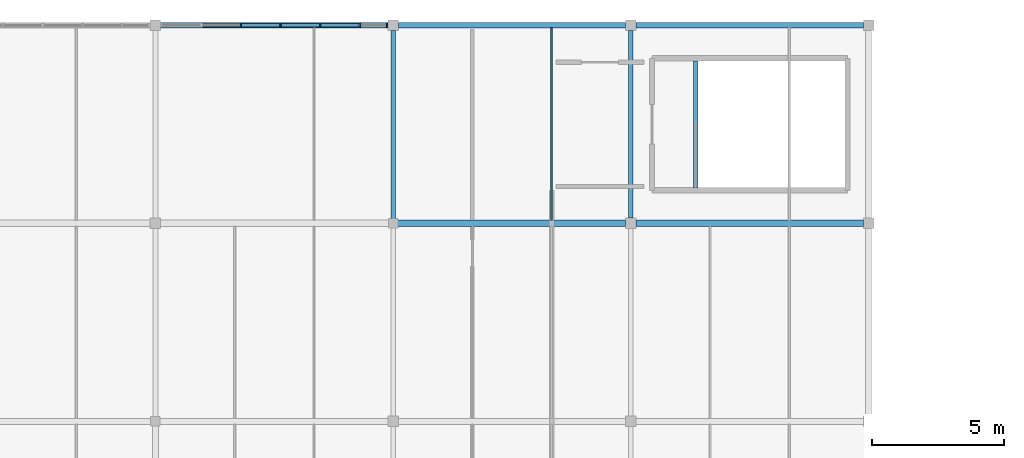
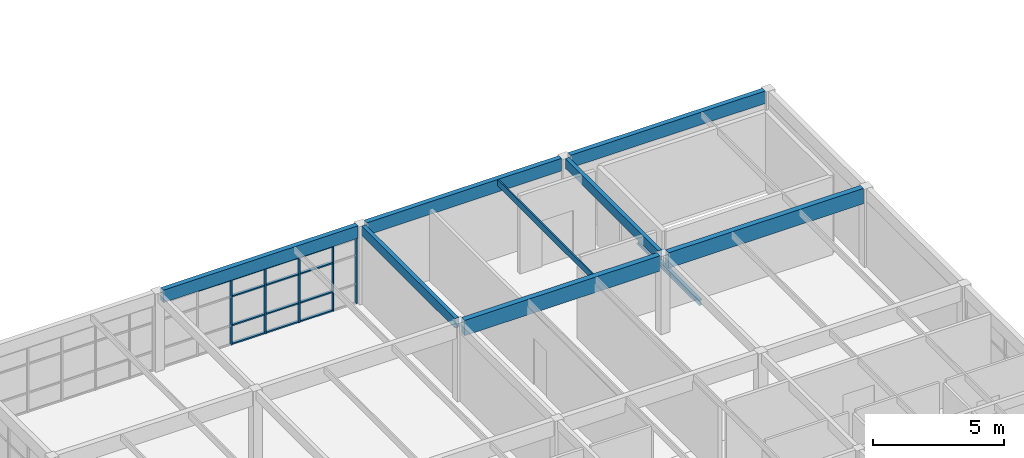
# One storey, part 18 of 45: 18 members, 9 beams, 1 element without a shape of its own.
"""IFC4 building model written with IfcOpenShell, lengths in metres."""

from ifc_helpers import new_model, si_unit, direction, frame, origin, origin_2d, place, context, subcontext, project, spatial, rectangle, i_section, extrude, material, layer, layer_set, material_profile, profile_set, type_object, element, aggregate, save


model = new_model("IFC4")

# Units and contexts
model_context = context("Model", 3, precision=1e-05, world=origin(), true_north=direction((0.0, 1.0)))
body_context = subcontext(model_context, "Body", "Model", "MODEL_VIEW")
ifc_project = project(units=[si_unit("LENGTHUNIT", "METRE"), si_unit("AREAUNIT", "SQUARE_METRE"), si_unit("VOLUMEUNIT", "CUBIC_METRE"), si_unit("PLANEANGLEUNIT", "RADIAN"), si_unit("MASSUNIT", "GRAM", prefix="KILO")], contexts=[model_context])

# Site, building, storey
site_placement = place(None, origin())
site = spatial("IfcSite", under=ifc_project, at=site_placement, CompositionType="ELEMENT")
building_placement = place(site_placement, origin())
building = spatial("IfcBuilding", under=site, at=building_placement, Name="Marnridge Secondary College", CompositionType="ELEMENT")
storey_placement = place(building_placement, frame((0.0, 0.0, 12.300048828125)))
storey = spatial("IfcBuildingStorey", under=building, at=storey_placement, Name="L03", CompositionType="ELEMENT", Elevation=12.300048828125)

# Beams
ifc_material_1 = material(Name="Glulam timber GL18", Category="wood")
ifc_material_profile_1 = material_profile(ifc_material_1, rectangle(XDim=0.175048828125, YDim=0.449951171875, at=origin_2d()), Name="GL18 175x450")
ifc_profile_set_1 = profile_set([ifc_material_profile_1], Name="Glulam timber GL18")
beam_type_1 = type_object("IfcBeamType", Name="BM-GL450-INT", PredefinedType="BEAM", material=ifc_profile_set_1)
beam_1_placement = place(storey_placement, frame((18.0, 112.674072265625, 3.425048828125), z_axis=(0.0, 1.0, 0.0), x_axis=(-1.0, 0.0, 0.0)))
element("IfcBeam", 1, at=beam_1_placement, inside=storey, type_object=beam_type_1, Name="Beam BRF-L03-1332", PredefinedType="BEAM", context=body_context, shape_type="SweptSolid", body=[
    extrude(rectangle(XDim=0.175048828125, YDim=0.449951171875, at=origin_2d()), origin(), (0.0, 0.0, 1.0), 7.1318359375),
])
beam_2_placement = place(storey_placement, frame((27.0, 112.694091796875, 3.425048828125), z_axis=(0.0, 1.0, 0.0), x_axis=(-1.0, 0.0, 0.0)))
element("IfcBeam", 2, at=beam_2_placement, inside=storey, type_object=beam_type_1, Name="Beam BRF-L03-1341", PredefinedType="BEAM", context=body_context, shape_type="SweptSolid", body=[
    extrude(rectangle(XDim=0.175048828125, YDim=0.449951171875, at=origin_2d()), origin(), (0.0, 0.0, 1.0), 7.11181640625),
])
ifc_material_2 = material(Name="Glulam timber GL18", Category="wood")
ifc_material_profile_2 = material_profile(ifc_material_2, rectangle(XDim=0.215087890625, YDim=0.5849609375, at=origin_2d()), Name="GL18 215x585")
ifc_profile_set_2 = profile_set([ifc_material_profile_2], Name="Glulam timber GL18")
beam_type_2 = type_object("IfcBeamType", Name="BM-GL585-EXT", PredefinedType="SPANDREL", material=ifc_profile_set_2)
for number, where, z_axis, x_axis, name in (
    (3, (9.194091796875, 120.0, 3.357421875), (1.0, 0.0, 0.0), (0.0, 1.0, 0.0), "Beam BRF-L03-1331"),
    (4, (18.194091796875, 120.0, 3.357421875), (1.0, 0.0, 0.0), (0.0, 1.0, 0.0), "Beam BRF-L03-1340"),
    (5, (27.194091796875, 120.0, 3.357421875), (1.0, 0.0, 0.0), (0.0, 1.0, 0.0), "Beam BRF-L03-1349"),
):
    element("IfcBeam", number, at=place(storey_placement, frame(where, z_axis=z_axis, x_axis=x_axis)), inside=storey, type_object=beam_type_2, Name=name, PredefinedType="SPANDREL", context=body_context, shape_type="SweptSolid", body=[
        extrude(rectangle(XDim=0.215087890625, YDim=0.5849609375, at=origin_2d()), origin(), (0.0, 0.0, 1.0), 8.61181640625),
    ])
ifc_material_3 = material(Name="Glulam timber GL18", Category="wood")
ifc_material_profile_3 = material_profile(ifc_material_3, rectangle(XDim=0.239990234375, YDim=0.719970703125, at=origin_2d()), Name="GL18 240x720")
ifc_profile_set_3 = profile_set([ifc_material_profile_3], Name="Glulam timber GL18")
beam_type_3 = type_object("IfcBeamType", Name="BM-GL720-INT", PredefinedType="BEAM", material=ifc_profile_set_3)
beam_3_placement = place(storey_placement, frame((18.174072265625, 112.5, 3.2900390625), z_axis=(1.0, 0.0, 0.0), x_axis=(0.0, 1.0, 0.0)))
element("IfcBeam", 6, at=beam_3_placement, inside=storey, type_object=beam_type_3, Name="Beam BRF-L03-1338", PredefinedType="BEAM", context=body_context, shape_type="SweptSolid", body=[
    extrude(rectangle(XDim=0.239990234375, YDim=0.719970703125, at=origin_2d()), origin(), (0.0, 0.0, 1.0), 8.6318359375),
])
beam_4_placement = place(storey_placement, frame((27.194091796875, 112.5, 3.2900390625), z_axis=(1.0, 0.0, 0.0), x_axis=(0.0, 1.0, 0.0)))
element("IfcBeam", 7, at=beam_4_placement, inside=storey, type_object=beam_type_3, Name="Beam BRF-L03-1347", PredefinedType="BEAM", context=body_context, shape_type="SweptSolid", body=[
    extrude(rectangle(XDim=0.239990234375, YDim=0.719970703125, at=origin_2d()), origin(), (0.0, 0.0, 1.0), 8.61181640625),
])
ifc_material_4 = material(Name="Engineered timber LVL E13.2", Category="wood")
ifc_material_profile_4 = material_profile(ifc_material_4, rectangle(XDim=0.06298828125, YDim=0.300048828125, at=origin_2d()), Name="LVL 63x300")
ifc_profile_set_4 = profile_set([ifc_material_profile_4], Name="Engineered timber LVL E13.2")
beam_type_4 = type_object("IfcBeamType", Name="BM-LVL300-INT", PredefinedType="JOIST", material=ifc_profile_set_4)
beam_5_placement = place(storey_placement, frame((24.0, 112.614013671875, 3.5), z_axis=(0.0, 1.0, 0.0), x_axis=(-1.0, 0.0, 0.0)))
element("IfcBeam", 8, at=beam_5_placement, inside=storey, type_object=beam_type_4, Name="Beam BJ-L03-1373", PredefinedType="JOIST", context=body_context, shape_type="SweptSolid", body=[
    extrude(rectangle(XDim=0.06298828125, YDim=0.300048828125, at=origin_2d()), origin(), (0.0, 0.0, 1.0), 7.284423828125),
])
ifc_material_5 = material(Name="Structural steel Grade 350 (AS/NZS 3679.1/.2, fy = 340-360 MPa)", Category="steel")
ifc_material_profile_5 = material_profile(ifc_material_5, i_section(OverallWidth=0.146240234375, OverallDepth=0.256103515625, WebThickness=0.00634765625, FlangeThickness=0.010986328125, FilletRadius=0.0087890625, at=origin_2d()), Name="250UB37.3")
ifc_profile_set_5 = profile_set([ifc_material_profile_5], Name="Structural steel Grade 350 (AS/NZS 3679.1/.2, fy = 340-360 MPa)")
beam_type_5 = type_object("IfcBeamType", Name="BM-UB250-EXT", PredefinedType="LINTEL", material=ifc_profile_set_5)
beam_6_placement = place(storey_placement, frame((29.449951171875, 113.842041015625, -0.34814453125), z_axis=(0.0, 1.0, 0.0), x_axis=(-1.0, 0.0, 0.0)))
element("IfcBeam", 9, at=beam_6_placement, inside=storey, type_object=beam_type_5, Name="Stair landing trimmer beam BT-L03-048", PredefinedType="LINTEL", context=body_context, shape_type="SweptSolid", body=[
    extrude(i_section(OverallWidth=0.146240234375, OverallDepth=0.256103515625, WebThickness=0.00634765625, FlangeThickness=0.010986328125, FilletRadius=0.0087890625, at=origin_2d()), origin(), (0.0, 0.0, 1.0), 4.802978515625),
])

# Curtain wall, members
ifc_material_6 = material(Name="Thermally broken aluminium and low-E glazing", Category="aluminium")
ifc_layer = layer(ifc_material_6, 0.159912109375)
ifc_layer_set = layer_set([ifc_layer], Name="CW-MOD-1500")
curtain_wall_type = type_object("IfcCurtainWallType", Name="CW-MOD-1500", PredefinedType="NOTDEFINED", material=ifc_layer_set)
curtain_wall_placement = place(storey_placement, origin())
curtain_wall = element("IfcCurtainWall", 10, at=curtain_wall_placement, inside=storey, type_object=curtain_wall_type, Name="Unitised curtain wall CW-L03-119", PredefinedType="NOTDEFINED")
ifc_material_7 = material(Name="Anodised aluminium 6063-T6", Category="aluminium")
ifc_material_profile_6 = material_profile(ifc_material_7, rectangle(XDim=0.06005859375, YDim=0.159912109375, at=origin_2d()), Name="ALU 60x160")
ifc_profile_set_6 = profile_set([ifc_material_profile_6], Name="Anodised aluminium 6063-T6")
member_type_1 = type_object("IfcMemberType", Name="CWM-ALU160", PredefinedType="MULLION", material=ifc_profile_set_6)
member_1_placement = place(storey_placement, frame((12.23388671875, 120.0, 0.0), z_axis=(0.0, 0.0, 1.0), x_axis=(1.0, 0.0, 0.0)))
member_1 = element("IfcMember", 11, at=member_1_placement, type_object=member_type_1, Name="CW-L03-119 mullion 3", PredefinedType="MULLION", context=body_context, shape_type="SweptSolid", body=[
    extrude(rectangle(XDim=0.06005859375, YDim=0.159912109375, at=origin_2d()), origin(), (0.0, 0.0, 1.0), 3.056884765625),
])
member_2_placement = place(storey_placement, frame((13.73388671875, 120.0, 0.0), z_axis=(0.0, 0.0, 1.0), x_axis=(1.0, 0.0, 0.0)))
member_2 = element("IfcMember", 12, at=member_2_placement, type_object=member_type_1, Name="CW-L03-119 mullion 4", PredefinedType="MULLION", context=body_context, shape_type="SweptSolid", body=[
    extrude(rectangle(XDim=0.06005859375, YDim=0.159912109375, at=origin_2d()), origin(), (0.0, 0.0, 1.0), 3.056884765625),
])
member_3_placement = place(storey_placement, frame((15.23388671875, 120.0, 0.0), z_axis=(0.0, 0.0, 1.0), x_axis=(1.0, 0.0, 0.0)))
member_3 = element("IfcMember", 13, at=member_3_placement, type_object=member_type_1, Name="CW-L03-119 mullion 5", PredefinedType="MULLION", context=body_context, shape_type="SweptSolid", body=[
    extrude(rectangle(XDim=0.06005859375, YDim=0.159912109375, at=origin_2d()), origin(), (0.0, 0.0, 1.0), 3.056884765625),
])
member_4_placement = place(storey_placement, frame((16.73388671875, 120.0, 0.0), z_axis=(0.0, 0.0, 1.0), x_axis=(1.0, 0.0, 0.0)))
member_4 = element("IfcMember", 14, at=member_4_placement, type_object=member_type_1, Name="CW-L03-119 mullion 6", PredefinedType="MULLION", context=body_context, shape_type="SweptSolid", body=[
    extrude(rectangle(XDim=0.06005859375, YDim=0.159912109375, at=origin_2d()), origin(), (0.0, 0.0, 1.0), 3.056884765625),
])
member_5_placement = place(storey_placement, frame((17.76611328125, 120.0, 0.0), z_axis=(0.0, 0.0, 1.0), x_axis=(1.0, 0.0, 0.0)))
member_5 = element("IfcMember", 15, at=member_5_placement, type_object=member_type_1, Name="CW-L03-119 mullion 7", PredefinedType="MULLION", context=body_context, shape_type="SweptSolid", body=[
    extrude(rectangle(XDim=0.06005859375, YDim=0.159912109375, at=origin_2d()), origin(), (0.0, 0.0, 1.0), 3.056884765625),
])
ifc_material_8 = material(Name="Anodised aluminium 6063-T6", Category="aluminium")
ifc_material_profile_7 = material_profile(ifc_material_8, rectangle(XDim=0.06005859375, YDim=0.1201171875, at=origin_2d()), Name="ALU 60x120")
ifc_profile_set_7 = profile_set([ifc_material_profile_7], Name="Anodised aluminium 6063-T6")
member_type_2 = type_object("IfcMemberType", Name="CWT-ALU120", PredefinedType="USERDEFINED", material=ifc_profile_set_7)
member_6_placement = place(storey_placement, frame((10.763916015625, 120.0, 3.02685546875), z_axis=(1.0, 0.0, 0.0), x_axis=(0.0, 0.0, 1.0)))
member_6 = element("IfcMember", 16, at=member_6_placement, type_object=member_type_2, Name="CW-L03-119 transom 2.4", ObjectType="TRANSOM", PredefinedType="USERDEFINED", context=body_context, shape_type="SweptSolid", body=[
    extrude(rectangle(XDim=0.06005859375, YDim=0.1201171875, at=origin_2d()), origin(), (0.0, 0.0, 1.0), 1.440185546875),
])
member_7_placement = place(storey_placement, frame((12.263916015625, 120.0, 0.030029296875), z_axis=(1.0, 0.0, 0.0), x_axis=(0.0, 0.0, 1.0)))
member_7 = element("IfcMember", 17, at=member_7_placement, type_object=member_type_2, Name="CW-L03-119 transom 3.1", ObjectType="TRANSOM", PredefinedType="USERDEFINED", context=body_context, shape_type="SweptSolid", body=[
    extrude(rectangle(XDim=0.06005859375, YDim=0.1201171875, at=origin_2d()), origin(), (0.0, 0.0, 1.0), 1.440185546875),
])
member_8_placement = place(storey_placement, frame((12.263916015625, 120.0, 0.89990234375), z_axis=(1.0, 0.0, 0.0), x_axis=(0.0, 0.0, 1.0)))
member_8 = element("IfcMember", 18, at=member_8_placement, type_object=member_type_2, Name="CW-L03-119 transom 3.2", ObjectType="TRANSOM", PredefinedType="USERDEFINED", context=body_context, shape_type="SweptSolid", body=[
    extrude(rectangle(XDim=0.06005859375, YDim=0.1201171875, at=origin_2d()), origin(), (0.0, 0.0, 1.0), 1.440185546875),
])
member_9_placement = place(storey_placement, frame((12.263916015625, 120.0, 2.25), z_axis=(1.0, 0.0, 0.0), x_axis=(0.0, 0.0, 1.0)))
member_9 = element("IfcMember", 19, at=member_9_placement, type_object=member_type_2, Name="CW-L03-119 transom 3.3", ObjectType="TRANSOM", PredefinedType="USERDEFINED", context=body_context, shape_type="SweptSolid", body=[
    extrude(rectangle(XDim=0.06005859375, YDim=0.1201171875, at=origin_2d()), origin(), (0.0, 0.0, 1.0), 1.440185546875),
])
member_10_placement = place(storey_placement, frame((12.263916015625, 120.0, 3.02685546875), z_axis=(1.0, 0.0, 0.0), x_axis=(0.0, 0.0, 1.0)))
member_10 = element("IfcMember", 20, at=member_10_placement, type_object=member_type_2, Name="CW-L03-119 transom 3.4", ObjectType="TRANSOM", PredefinedType="USERDEFINED", context=body_context, shape_type="SweptSolid", body=[
    extrude(rectangle(XDim=0.06005859375, YDim=0.1201171875, at=origin_2d()), origin(), (0.0, 0.0, 1.0), 1.440185546875),
])
member_11_placement = place(storey_placement, frame((13.763916015625, 120.0, 0.030029296875), z_axis=(1.0, 0.0, 0.0), x_axis=(0.0, 0.0, 1.0)))
member_11 = element("IfcMember", 21, at=member_11_placement, type_object=member_type_2, Name="CW-L03-119 transom 4.1", ObjectType="TRANSOM", PredefinedType="USERDEFINED", context=body_context, shape_type="SweptSolid", body=[
    extrude(rectangle(XDim=0.06005859375, YDim=0.1201171875, at=origin_2d()), origin(), (0.0, 0.0, 1.0), 1.440185546875),
])
member_12_placement = place(storey_placement, frame((13.763916015625, 120.0, 0.89990234375), z_axis=(1.0, 0.0, 0.0), x_axis=(0.0, 0.0, 1.0)))
member_12 = element("IfcMember", 22, at=member_12_placement, type_object=member_type_2, Name="CW-L03-119 transom 4.2", ObjectType="TRANSOM", PredefinedType="USERDEFINED", context=body_context, shape_type="SweptSolid", body=[
    extrude(rectangle(XDim=0.06005859375, YDim=0.1201171875, at=origin_2d()), origin(), (0.0, 0.0, 1.0), 1.440185546875),
])
member_13_placement = place(storey_placement, frame((13.763916015625, 120.0, 2.25), z_axis=(1.0, 0.0, 0.0), x_axis=(0.0, 0.0, 1.0)))
member_13 = element("IfcMember", 23, at=member_13_placement, type_object=member_type_2, Name="CW-L03-119 transom 4.3", ObjectType="TRANSOM", PredefinedType="USERDEFINED", context=body_context, shape_type="SweptSolid", body=[
    extrude(rectangle(XDim=0.06005859375, YDim=0.1201171875, at=origin_2d()), origin(), (0.0, 0.0, 1.0), 1.440185546875),
])
member_14_placement = place(storey_placement, frame((13.763916015625, 120.0, 3.02685546875), z_axis=(1.0, 0.0, 0.0), x_axis=(0.0, 0.0, 1.0)))
member_14 = element("IfcMember", 24, at=member_14_placement, type_object=member_type_2, Name="CW-L03-119 transom 4.4", ObjectType="TRANSOM", PredefinedType="USERDEFINED", context=body_context, shape_type="SweptSolid", body=[
    extrude(rectangle(XDim=0.06005859375, YDim=0.1201171875, at=origin_2d()), origin(), (0.0, 0.0, 1.0), 1.440185546875),
])
member_15_placement = place(storey_placement, frame((15.263916015625, 120.0, 0.030029296875), z_axis=(1.0, 0.0, 0.0), x_axis=(0.0, 0.0, 1.0)))
member_15 = element("IfcMember", 25, at=member_15_placement, type_object=member_type_2, Name="CW-L03-119 transom 5.1", ObjectType="TRANSOM", PredefinedType="USERDEFINED", context=body_context, shape_type="SweptSolid", body=[
    extrude(rectangle(XDim=0.06005859375, YDim=0.1201171875, at=origin_2d()), origin(), (0.0, 0.0, 1.0), 1.440185546875),
])
member_16_placement = place(storey_placement, frame((15.263916015625, 120.0, 0.89990234375), z_axis=(1.0, 0.0, 0.0), x_axis=(0.0, 0.0, 1.0)))
member_16 = element("IfcMember", 26, at=member_16_placement, type_object=member_type_2, Name="CW-L03-119 transom 5.2", ObjectType="TRANSOM", PredefinedType="USERDEFINED", context=body_context, shape_type="SweptSolid", body=[
    extrude(rectangle(XDim=0.06005859375, YDim=0.1201171875, at=origin_2d()), origin(), (0.0, 0.0, 1.0), 1.440185546875),
])
member_17_placement = place(storey_placement, frame((15.263916015625, 120.0, 2.25), z_axis=(1.0, 0.0, 0.0), x_axis=(0.0, 0.0, 1.0)))
member_17 = element("IfcMember", 27, at=member_17_placement, type_object=member_type_2, Name="CW-L03-119 transom 5.3", ObjectType="TRANSOM", PredefinedType="USERDEFINED", context=body_context, shape_type="SweptSolid", body=[
    extrude(rectangle(XDim=0.06005859375, YDim=0.1201171875, at=origin_2d()), origin(), (0.0, 0.0, 1.0), 1.440185546875),
])
member_18_placement = place(storey_placement, frame((15.263916015625, 120.0, 3.02685546875), z_axis=(1.0, 0.0, 0.0), x_axis=(0.0, 0.0, 1.0)))
member_18 = element("IfcMember", 28, at=member_18_placement, type_object=member_type_2, Name="CW-L03-119 transom 5.4", ObjectType="TRANSOM", PredefinedType="USERDEFINED", context=body_context, shape_type="SweptSolid", body=[
    extrude(rectangle(XDim=0.06005859375, YDim=0.1201171875, at=origin_2d()), origin(), (0.0, 0.0, 1.0), 1.440185546875),
])
aggregate(curtain_wall, [member_1, member_2, member_3, member_4, member_5, member_6, member_7, member_8, member_9, member_10, member_11, member_12, member_13, member_14, member_15, member_16, member_17, member_18])

save(model, "model.ifc")
